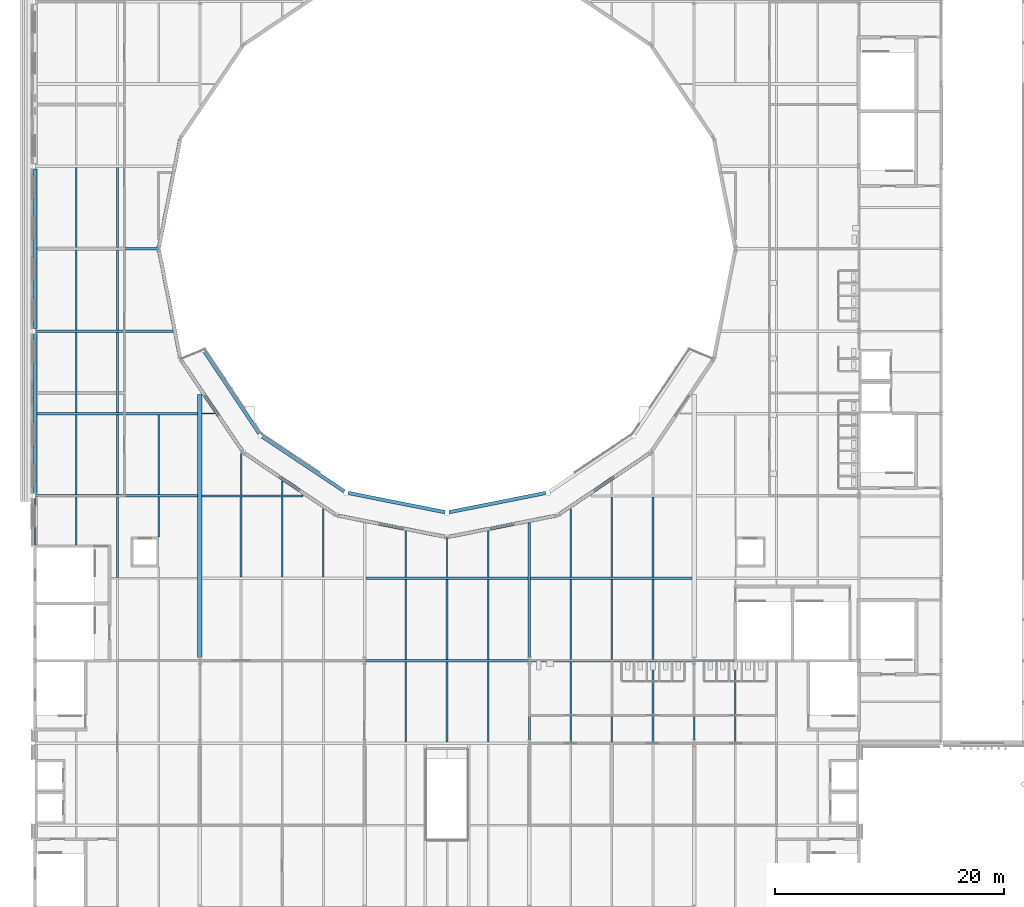
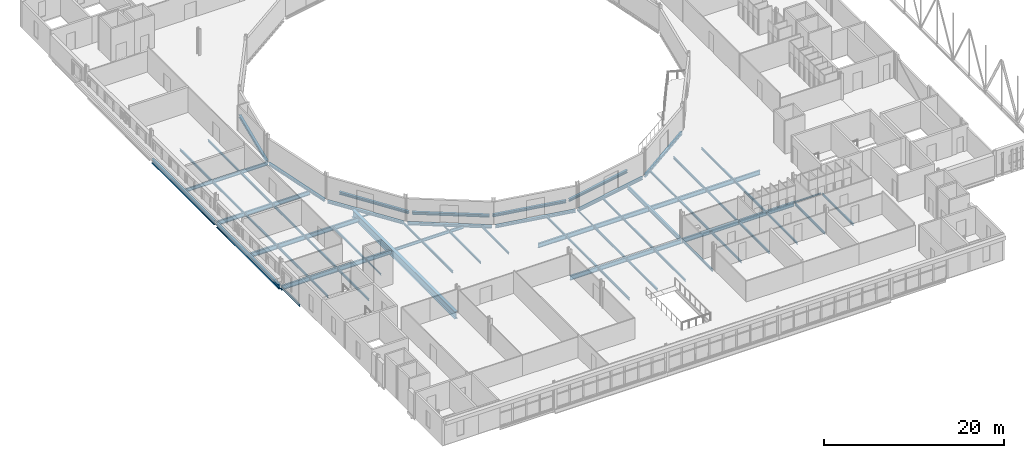
# One storey, part 27 of 142: 65 beams.
"""IFC4 building model written with IfcOpenShell, lengths in metres."""

from ifc_helpers import new_model, si_unit, direction, frame, origin, origin_2d, place, context, subcontext, project, spatial, i_section, extrude, material, material_profile, profile_set, type_object, element, save


model = new_model("IFC4")

# Units and contexts
model_context = context("Model", 3, precision=1e-05, world=origin(), true_north=direction((0.0, 1.0)))
body_context = subcontext(model_context, "Body", "Model", "MODEL_VIEW")
ifc_project = project(units=[si_unit("LENGTHUNIT", "METRE"), si_unit("AREAUNIT", "SQUARE_METRE"), si_unit("VOLUMEUNIT", "CUBIC_METRE"), si_unit("PLANEANGLEUNIT", "RADIAN"), si_unit("MASSUNIT", "GRAM", prefix="KILO")], contexts=[model_context])

# Site, building, storey
site_placement = place(None, origin())
site = spatial("IfcSite", under=ifc_project, at=site_placement, CompositionType="ELEMENT")
building_placement = place(site_placement, origin())
building = spatial("IfcBuilding", under=site, at=building_placement, Name="Kupolbacken Congress Centre", CompositionType="ELEMENT")
storey_placement = place(building_placement, frame((0.0, 0.0, 14.39990234375)))
storey = spatial("IfcBuildingStorey", under=building, at=storey_placement, Name="L04", CompositionType="ELEMENT", Elevation=14.39990234375)

# Beams
ifc_material_1 = material(Name="Steel S355", Category="steel")
ifc_material_profile_1 = material_profile(ifc_material_1, i_section(OverallWidth=0.10009765625, OverallDepth=0.199951171875, WebThickness=0.005615234375, FlangeThickness=0.008544921875, FilletRadius=0.011962890625, at=origin_2d()), Name="IPE 200")
ifc_profile_set_1 = profile_set([ifc_material_profile_1], Name="Steel S355")
beam_type_1 = type_object("IfcBeamType", Name="B01 beam IPE 200", PredefinedType="BEAM", material=ifc_profile_set_1)
beam_1_placement = place(storey_placement, frame((64.807861328125, 50.39990234375, -0.27978515625), z_axis=(1.0, 0.0, 0.0), x_axis=(0.0, 1.0, 0.0)))
element("IfcBeam", 1, at=beam_1_placement, inside=storey, type_object=beam_type_1, Name="S/floor/F/L04/R029", PredefinedType="BEAM", context=body_context, shape_type="SweptSolid", body=[
    extrude(i_section(OverallWidth=0.10009765625, OverallDepth=0.199951171875, WebThickness=0.005615234375, FlangeThickness=0.008544921875, FilletRadius=0.011962890625, at=origin_2d()), origin(), (0.0, 0.0, 1.0), 3.467041015625),
])
beam_2_placement = place(storey_placement, frame((21.800048828125, 72.0, -0.27978515625), z_axis=(1.0, 0.0, 0.0), x_axis=(0.0, 1.0, 0.0)))
element("IfcBeam", 2, at=beam_2_placement, inside=storey, type_object=beam_type_1, Name="S/floor/P/L04/R048", PredefinedType="BEAM", context=body_context, shape_type="SweptSolid", body=[
    extrude(i_section(OverallWidth=0.10009765625, OverallDepth=0.199951171875, WebThickness=0.005615234375, FlangeThickness=0.008544921875, FilletRadius=0.011962890625, at=origin_2d()), origin(), (0.0, 0.0, 1.0), 1.0908203125),
])
beam_3_placement = place(storey_placement, frame((28.800048828125, 64.889892578125, -0.27978515625), z_axis=(0.0, 1.0, 0.0), x_axis=(-1.0, 0.0, 0.0)))
element("IfcBeam", 3, at=beam_3_placement, inside=storey, type_object=beam_type_1, Name="S/floor/P/L04/S104", PredefinedType="BEAM", context=body_context, shape_type="SweptSolid", body=[
    extrude(i_section(OverallWidth=0.10009765625, OverallDepth=0.199951171875, WebThickness=0.005615234375, FlangeThickness=0.008544921875, FilletRadius=0.011962890625, at=origin_2d()), origin(), (0.0, 0.0, 1.0), 1.200927734375),
])
beam_4_placement = place(storey_placement, frame((43.199951171875, 57.7099609375, -0.27978515625), z_axis=(0.0, 1.0, 0.0), x_axis=(-1.0, 0.0, 0.0)))
element("IfcBeam", 4, at=beam_4_placement, inside=storey, type_object=beam_type_1, Name="S/floor/P/L04/S117", PredefinedType="BEAM", context=body_context, shape_type="SweptSolid", body=[
    extrude(i_section(OverallWidth=0.10009765625, OverallDepth=0.199951171875, WebThickness=0.005615234375, FlangeThickness=0.008544921875, FilletRadius=0.011962890625, at=origin_2d()), origin(), (0.0, 0.0, 1.0), 3.4833984375),
])
beam_5_placement = place(storey_placement, frame((18.0, 61.199951171875, -0.27978515625), z_axis=(0.0, 1.0, 0.0), x_axis=(-1.0, 0.0, 0.0)))
element("IfcBeam", 5, at=beam_5_placement, inside=storey, type_object=beam_type_1, Name="S/floor/P/L04/S163", PredefinedType="BEAM", context=body_context, shape_type="SweptSolid", body=[
    extrude(i_section(OverallWidth=0.10009765625, OverallDepth=0.199951171875, WebThickness=0.005615234375, FlangeThickness=0.008544921875, FilletRadius=0.011962890625, at=origin_2d()), origin(), (0.0, 0.0, 1.0), 3.489990234375),
])
ifc_material_2 = material(Name="Steel S355", Category="steel")
ifc_material_profile_2 = material_profile(ifc_material_2, i_section(OverallWidth=0.135009765625, OverallDepth=0.27001953125, WebThickness=0.006591796875, FlangeThickness=0.01025390625, FilletRadius=0.014892578125, at=origin_2d()), Name="IPE 270")
ifc_profile_set_2 = profile_set([ifc_material_profile_2], Name="Steel S355")
beam_type_2 = type_object("IfcBeamType", Name="B03 beam IPE 270", PredefinedType="BEAM", material=ifc_profile_set_2)
beam_6_placement = place(storey_placement, frame((7.199951171875, 60.52490234375, -0.31494140625), z_axis=(0.0, 1.0, 0.0), x_axis=(-1.0, 0.0, 0.0)))
element("IfcBeam", 6, at=beam_6_placement, inside=storey, type_object=beam_type_2, Name="S/floor/P/L04/G017", PredefinedType="BEAM", context=body_context, shape_type="SweptSolid", body=[
    extrude(i_section(OverallWidth=0.135009765625, OverallDepth=0.27001953125, WebThickness=0.006591796875, FlangeThickness=0.01025390625, FilletRadius=0.014892578125, at=origin_2d()), origin(), (0.0, 0.0, 1.0), 4.050048828125),
])
beam_7_placement = place(storey_placement, frame((10.800048828125, 60.52490234375, -0.31494140625), z_axis=(0.0, 1.0, 0.0), x_axis=(-1.0, 0.0, 0.0)))
element("IfcBeam", 7, at=beam_7_placement, inside=storey, type_object=beam_type_2, Name="S/floor/P/L04/S076", PredefinedType="BEAM", context=body_context, shape_type="SweptSolid", body=[
    extrude(i_section(OverallWidth=0.135009765625, OverallDepth=0.27001953125, WebThickness=0.006591796875, FlangeThickness=0.01025390625, FilletRadius=0.014892578125, at=origin_2d()), origin(), (0.0, 0.0, 1.0), 4.1650390625),
])
beam_8_placement = place(storey_placement, frame((25.199951171875, 64.889892578125, -0.31494140625), z_axis=(0.0, 1.0, 0.0), x_axis=(-1.0, 0.0, 0.0)))
element("IfcBeam", 8, at=beam_8_placement, inside=storey, type_object=beam_type_2, Name="S/floor/P/L04/S098", PredefinedType="BEAM", context=body_context, shape_type="SweptSolid", body=[
    extrude(i_section(OverallWidth=0.135009765625, OverallDepth=0.27001953125, WebThickness=0.006591796875, FlangeThickness=0.01025390625, FilletRadius=0.014892578125, at=origin_2d()), origin(), (0.0, 0.0, 1.0), 3.63818359375),
])
beam_9_placement = place(storey_placement, frame((32.39990234375, 57.7099609375, -0.31494140625), z_axis=(0.0, 1.0, 0.0), x_axis=(-1.0, 0.0, 0.0)))
element("IfcBeam", 9, at=beam_9_placement, inside=storey, type_object=beam_type_2, Name="S/floor/P/L04/S109", PredefinedType="BEAM", context=body_context, shape_type="SweptSolid", body=[
    extrude(i_section(OverallWidth=0.135009765625, OverallDepth=0.27001953125, WebThickness=0.006591796875, FlangeThickness=0.01025390625, FilletRadius=0.014892578125, at=origin_2d()), origin(), (0.0, 0.0, 1.0), 5.939697265625),
])
for number, where, z_axis, x_axis, name in (
    (10, (39.60009765625, 57.7099609375, -0.31494140625), (0.0, 1.0, 0.0), (-1.0, 0.0, 0.0), "S/floor/P/L04/S113"),
    (11, (46.800048828125, 57.7099609375, -0.31494140625), (0.0, 1.0, 0.0), (-1.0, 0.0, 0.0), "S/floor/P/L04/S121"),
):
    element("IfcBeam", number, at=place(storey_placement, frame(where, z_axis=z_axis, x_axis=x_axis)), inside=storey, type_object=beam_type_2, Name=name, PredefinedType="BEAM", context=body_context, shape_type="SweptSolid", body=[
        extrude(i_section(OverallWidth=0.135009765625, OverallDepth=0.27001953125, WebThickness=0.006591796875, FlangeThickness=0.01025390625, FilletRadius=0.014892578125, at=origin_2d()), origin(), (0.0, 0.0, 1.0), 4.03271484375),
    ])
beam_10_placement = place(storey_placement, frame((54.0, 57.7099609375, -0.31494140625), z_axis=(0.0, 1.0, 0.0), x_axis=(-1.0, 0.0, 0.0)))
element("IfcBeam", 12, at=beam_10_placement, inside=storey, type_object=beam_type_2, Name="S/floor/P/L04/S125", PredefinedType="BEAM", context=body_context, shape_type="SweptSolid", body=[
    extrude(i_section(OverallWidth=0.135009765625, OverallDepth=0.27001953125, WebThickness=0.006591796875, FlangeThickness=0.01025390625, FilletRadius=0.014892578125, at=origin_2d()), origin(), (0.0, 0.0, 1.0), 5.939697265625),
])
ifc_material_3 = material(Name="Steel S355", Category="steel")
ifc_material_profile_3 = material_profile(ifc_material_3, i_section(OverallWidth=0.14990234375, OverallDepth=0.300048828125, WebThickness=0.007080078125, FlangeThickness=0.0107421875, FilletRadius=0.014892578125, at=origin_2d()), Name="IPE 300")
ifc_profile_set_3 = profile_set([ifc_material_profile_3], Name="Steel S355")
beam_type_3 = type_object("IfcBeamType", Name="B04 beam IPE 300", PredefinedType="BEAM", material=ifc_profile_set_3)
for number, where, z_axis, x_axis, name in (
    (13, (50.39990234375, 43.5, -0.329833984375), (0.0, 1.0, 0.0), (-1.0, 0.0, 0.0), "S/floor/F/L04/G009"),
    (14, (64.800048828125, 43.5, -0.329833984375), (0.0, 1.0, 0.0), (-1.0, 0.0, 0.0), "S/floor/F/L04/G011"),
):
    element("IfcBeam", number, at=place(storey_placement, frame(where, z_axis=z_axis, x_axis=x_axis)), inside=storey, type_object=beam_type_3, Name=name, PredefinedType="BEAM", context=body_context, shape_type="SweptSolid", body=[
        extrude(i_section(OverallWidth=0.14990234375, OverallDepth=0.300048828125, WebThickness=0.007080078125, FlangeThickness=0.0107421875, FilletRadius=0.014892578125, at=origin_2d()), origin(), (0.0, 0.0, 1.0), 6.60009765625),
    ])
for number, where, z_axis, x_axis, name in (
    (15, (39.60009765625, 43.31005859375, -0.329833984375), (0.0, 1.0, 0.0), (-1.0, 0.0, 0.0), "S/floor/F/L04/S060"),
    (16, (43.199951171875, 43.31005859375, -0.329833984375), (0.0, 1.0, 0.0), (-1.0, 0.0, 0.0), "S/floor/F/L04/S062"),
    (17, (46.800048828125, 43.31005859375, -0.329833984375), (0.0, 1.0, 0.0), (-1.0, 0.0, 0.0), "S/floor/F/L04/S065"),
    (18, (54.0, 43.31005859375, -0.329833984375), (0.0, 1.0, 0.0), (-1.0, 0.0, 0.0), "S/floor/F/L04/S068"),
    (19, (57.60009765625, 43.31005859375, -0.329833984375), (0.0, 1.0, 0.0), (-1.0, 0.0, 0.0), "S/floor/F/L04/S071"),
    (20, (61.199951171875, 43.31005859375, -0.329833984375), (0.0, 1.0, 0.0), (-1.0, 0.0, 0.0), "S/floor/F/L04/S074"),
):
    element("IfcBeam", number, at=place(storey_placement, frame(where, z_axis=z_axis, x_axis=x_axis)), inside=storey, type_object=beam_type_3, Name=name, PredefinedType="BEAM", context=body_context, shape_type="SweptSolid", body=[
        extrude(i_section(OverallWidth=0.14990234375, OverallDepth=0.300048828125, WebThickness=0.007080078125, FlangeThickness=0.0107421875, FilletRadius=0.014892578125, at=origin_2d()), origin(), (0.0, 0.0, 1.0), 6.97998046875),
    ])
beam_11_placement = place(storey_placement, frame((68.39990234375, 43.31005859375, -0.329833984375), z_axis=(0.0, 1.0, 0.0), x_axis=(-1.0, 0.0, 0.0)))
element("IfcBeam", 21, at=beam_11_placement, inside=storey, type_object=beam_type_3, Name="S/floor/F/L04/S077", PredefinedType="BEAM", context=body_context, shape_type="SweptSolid", body=[
    extrude(i_section(OverallWidth=0.14990234375, OverallDepth=0.300048828125, WebThickness=0.007080078125, FlangeThickness=0.0107421875, FilletRadius=0.014892578125, at=origin_2d()), origin(), (0.0, 0.0, 1.0), 6.96484375),
])
beam_12_placement = place(storey_placement, frame((10.800048828125, 64.909912109375, -0.329833984375), z_axis=(0.0, 1.0, 0.0), x_axis=(-1.0, 0.0, 0.0)))
element("IfcBeam", 22, at=beam_12_placement, inside=storey, type_object=beam_type_3, Name="S/floor/P/L04/S077", PredefinedType="BEAM", context=body_context, shape_type="SweptSolid", body=[
    extrude(i_section(OverallWidth=0.14990234375, OverallDepth=0.300048828125, WebThickness=0.007080078125, FlangeThickness=0.0107421875, FilletRadius=0.014892578125, at=origin_2d()), origin(), (0.0, 0.0, 1.0), 6.97998046875),
])
beam_13_placement = place(storey_placement, frame((10.800048828125, 72.110107421875, -0.329833984375), z_axis=(0.0, 1.0, 0.0), x_axis=(-1.0, 0.0, 0.0)))
element("IfcBeam", 23, at=beam_13_placement, inside=storey, type_object=beam_type_3, Name="S/floor/P/L04/S078", PredefinedType="BEAM", context=body_context, shape_type="SweptSolid", body=[
    extrude(i_section(OverallWidth=0.14990234375, OverallDepth=0.300048828125, WebThickness=0.007080078125, FlangeThickness=0.0107421875, FilletRadius=0.014892578125, at=origin_2d()), origin(), (0.0, 0.0, 1.0), 6.98486328125),
])
for number, where, z_axis, x_axis, name in (
    (24, (10.800048828125, 79.304931640625, -0.329833984375), (0.0, 1.0, 0.0), (-1.0, 0.0, 0.0), "S/floor/P/L04/S079"),
    (25, (10.800048828125, 86.4951171875, -0.329833984375), (0.0, 1.0, 0.0), (-1.0, 0.0, 0.0), "S/floor/P/L04/S080"),
):
    element("IfcBeam", number, at=place(storey_placement, frame(where, z_axis=z_axis, x_axis=x_axis)), inside=storey, type_object=beam_type_3, Name=name, PredefinedType="BEAM", context=body_context, shape_type="SweptSolid", body=[
        extrude(i_section(OverallWidth=0.14990234375, OverallDepth=0.300048828125, WebThickness=0.007080078125, FlangeThickness=0.0107421875, FilletRadius=0.014892578125, at=origin_2d()), origin(), (0.0, 0.0, 1.0), 7.0),
    ])
beam_14_placement = place(storey_placement, frame((14.39990234375, 57.679931640625, -0.329833984375), z_axis=(0.0, 1.0, 0.0), x_axis=(-1.0, 0.0, 0.0)))
element("IfcBeam", 26, at=beam_14_placement, inside=storey, type_object=beam_type_3, Name="S/floor/P/L04/S086", PredefinedType="BEAM", context=body_context, shape_type="SweptSolid", body=[
    extrude(i_section(OverallWidth=0.14990234375, OverallDepth=0.300048828125, WebThickness=0.007080078125, FlangeThickness=0.0107421875, FilletRadius=0.014892578125, at=origin_2d()), origin(), (0.0, 0.0, 1.0), 7.010009765625),
])
beam_15_placement = place(storey_placement, frame((14.39990234375, 64.909912109375, -0.329833984375), z_axis=(0.0, 1.0, 0.0), x_axis=(-1.0, 0.0, 0.0)))
element("IfcBeam", 27, at=beam_15_placement, inside=storey, type_object=beam_type_3, Name="S/floor/P/L04/S087", PredefinedType="BEAM", context=body_context, shape_type="SweptSolid", body=[
    extrude(i_section(OverallWidth=0.14990234375, OverallDepth=0.300048828125, WebThickness=0.007080078125, FlangeThickness=0.0107421875, FilletRadius=0.014892578125, at=origin_2d()), origin(), (0.0, 0.0, 1.0), 6.97998046875),
])
beam_16_placement = place(storey_placement, frame((14.39990234375, 72.110107421875, -0.329833984375), z_axis=(0.0, 1.0, 0.0), x_axis=(-1.0, 0.0, 0.0)))
element("IfcBeam", 28, at=beam_16_placement, inside=storey, type_object=beam_type_3, Name="S/floor/P/L04/S088", PredefinedType="BEAM", context=body_context, shape_type="SweptSolid", body=[
    extrude(i_section(OverallWidth=0.14990234375, OverallDepth=0.300048828125, WebThickness=0.007080078125, FlangeThickness=0.0107421875, FilletRadius=0.014892578125, at=origin_2d()), origin(), (0.0, 0.0, 1.0), 6.98486328125),
])
for number, where, z_axis, x_axis, name in (
    (29, (14.39990234375, 79.304931640625, -0.329833984375), (0.0, 1.0, 0.0), (-1.0, 0.0, 0.0), "S/floor/P/L04/S089"),
    (30, (14.39990234375, 86.4951171875, -0.329833984375), (0.0, 1.0, 0.0), (-1.0, 0.0, 0.0), "S/floor/P/L04/S090"),
    (31, (25.199951171875, 57.7099609375, -0.329833984375), (0.0, 1.0, 0.0), (-1.0, 0.0, 0.0), "S/floor/P/L04/S097"),
    (32, (28.800048828125, 57.7099609375, -0.329833984375), (0.0, 1.0, 0.0), (-1.0, 0.0, 0.0), "S/floor/P/L04/S103"),
):
    element("IfcBeam", number, at=place(storey_placement, frame(where, z_axis=z_axis, x_axis=x_axis)), inside=storey, type_object=beam_type_3, Name=name, PredefinedType="BEAM", context=body_context, shape_type="SweptSolid", body=[
        extrude(i_section(OverallWidth=0.14990234375, OverallDepth=0.300048828125, WebThickness=0.007080078125, FlangeThickness=0.0107421875, FilletRadius=0.014892578125, at=origin_2d()), origin(), (0.0, 0.0, 1.0), 7.0),
    ])
for number, where, z_axis, x_axis, name in (
    (33, (39.60009765625, 50.510009765625, -0.329833984375), (0.0, 1.0, 0.0), (-1.0, 0.0, 0.0), "S/floor/P/L04/S112"),
    (34, (43.199951171875, 50.510009765625, -0.329833984375), (0.0, 1.0, 0.0), (-1.0, 0.0, 0.0), "S/floor/P/L04/S116"),
    (35, (46.800048828125, 50.510009765625, -0.329833984375), (0.0, 1.0, 0.0), (-1.0, 0.0, 0.0), "S/floor/P/L04/S120"),
    (36, (54.0, 50.510009765625, -0.329833984375), (0.0, 1.0, 0.0), (-1.0, 0.0, 0.0), "S/floor/P/L04/S124"),
    (37, (57.60009765625, 50.510009765625, -0.329833984375), (0.0, 1.0, 0.0), (-1.0, 0.0, 0.0), "S/floor/P/L04/S128"),
):
    element("IfcBeam", number, at=place(storey_placement, frame(where, z_axis=z_axis, x_axis=x_axis)), inside=storey, type_object=beam_type_3, Name=name, PredefinedType="BEAM", context=body_context, shape_type="SweptSolid", body=[
        extrude(i_section(OverallWidth=0.14990234375, OverallDepth=0.300048828125, WebThickness=0.007080078125, FlangeThickness=0.0107421875, FilletRadius=0.014892578125, at=origin_2d()), origin(), (0.0, 0.0, 1.0), 6.97998046875),
    ])
beam_17_placement = place(storey_placement, frame((57.60009765625, 57.7099609375, -0.329833984375), z_axis=(0.0, 1.0, 0.0), x_axis=(-1.0, 0.0, 0.0)))
element("IfcBeam", 38, at=beam_17_placement, inside=storey, type_object=beam_type_3, Name="S/floor/P/L04/S129", PredefinedType="BEAM", context=body_context, shape_type="SweptSolid", body=[
    extrude(i_section(OverallWidth=0.14990234375, OverallDepth=0.300048828125, WebThickness=0.007080078125, FlangeThickness=0.0107421875, FilletRadius=0.014892578125, at=origin_2d()), origin(), (0.0, 0.0, 1.0), 7.0),
])
beam_18_placement = place(storey_placement, frame((61.199951171875, 50.510009765625, -0.329833984375), z_axis=(0.0, 1.0, 0.0), x_axis=(-1.0, 0.0, 0.0)))
element("IfcBeam", 39, at=beam_18_placement, inside=storey, type_object=beam_type_3, Name="S/floor/P/L04/S134", PredefinedType="BEAM", context=body_context, shape_type="SweptSolid", body=[
    extrude(i_section(OverallWidth=0.14990234375, OverallDepth=0.300048828125, WebThickness=0.007080078125, FlangeThickness=0.0107421875, FilletRadius=0.014892578125, at=origin_2d()), origin(), (0.0, 0.0, 1.0), 6.97998046875),
])
beam_19_placement = place(storey_placement, frame((61.199951171875, 57.7099609375, -0.329833984375), z_axis=(0.0, 1.0, 0.0), x_axis=(-1.0, 0.0, 0.0)))
element("IfcBeam", 40, at=beam_19_placement, inside=storey, type_object=beam_type_3, Name="S/floor/P/L04/S135", PredefinedType="BEAM", context=body_context, shape_type="SweptSolid", body=[
    extrude(i_section(OverallWidth=0.14990234375, OverallDepth=0.300048828125, WebThickness=0.007080078125, FlangeThickness=0.0107421875, FilletRadius=0.014892578125, at=origin_2d()), origin(), (0.0, 0.0, 1.0), 7.0),
])
beam_20_placement = place(storey_placement, frame((18.0, 64.909912109375, -0.329833984375), z_axis=(0.0, 1.0, 0.0), x_axis=(-1.0, 0.0, 0.0)))
element("IfcBeam", 41, at=beam_20_placement, inside=storey, type_object=beam_type_3, Name="S/floor/P/L04/S164", PredefinedType="BEAM", context=body_context, shape_type="SweptSolid", body=[
    extrude(i_section(OverallWidth=0.14990234375, OverallDepth=0.300048828125, WebThickness=0.007080078125, FlangeThickness=0.0107421875, FilletRadius=0.014892578125, at=origin_2d()), origin(), (0.0, 0.0, 1.0), 6.97998046875),
])
ifc_material_4 = material(Name="Steel S355", Category="steel")
ifc_material_profile_4 = material_profile(ifc_material_4, i_section(OverallWidth=0.179931640625, OverallDepth=0.39990234375, WebThickness=0.008544921875, FlangeThickness=0.013427734375, FilletRadius=0.02099609375, at=origin_2d()), Name="IPE 400")
ifc_profile_set_4 = profile_set([ifc_material_profile_4], Name="Steel S355")
beam_type_4 = type_object("IfcBeamType", Name="B07 beam IPE 400", PredefinedType="BEAM", material=ifc_profile_set_4)
beam_21_placement = place(storey_placement, frame((21.800048828125, 64.800048828125, -0.3798828125), z_axis=(1.0, 0.0, 0.0), x_axis=(0.0, 1.0, 0.0)))
element("IfcBeam", 42, at=beam_21_placement, inside=storey, type_object=beam_type_4, Name="S/floor/P/L04/R044", PredefinedType="BEAM", context=body_context, shape_type="SweptSolid", body=[
    extrude(i_section(OverallWidth=0.179931640625, OverallDepth=0.39990234375, WebThickness=0.008544921875, FlangeThickness=0.013427734375, FilletRadius=0.02099609375, at=origin_2d()), origin(), (0.0, 0.0, 1.0), 8.829345703125),
])
ifc_material_5 = material(Name="Steel S355", Category="steel")
ifc_material_profile_5 = material_profile(ifc_material_5, i_section(OverallWidth=0.18994140625, OverallDepth=0.449951171875, WebThickness=0.009521484375, FlangeThickness=0.0146484375, FilletRadius=0.02099609375, at=origin_2d()), Name="IPE 450")
ifc_profile_set_5 = profile_set([ifc_material_profile_5], Name="Steel S355")
beam_type_5 = type_object("IfcBeamType", Name="B08 beam IPE 450", PredefinedType="BEAM", material=ifc_profile_set_5)
beam_22_placement = place(storey_placement, frame((7.35009765625, 86.39990234375, -0.40478515625), z_axis=(1.0, 0.0, 0.0), x_axis=(0.0, 1.0, 0.0)))
element("IfcBeam", 43, at=beam_22_placement, inside=storey, type_object=beam_type_5, Name="S/floor/P/L04/R053", PredefinedType="BEAM", context=body_context, shape_type="SweptSolid", body=[
    extrude(i_section(OverallWidth=0.18994140625, OverallDepth=0.449951171875, WebThickness=0.009521484375, FlangeThickness=0.0146484375, FilletRadius=0.02099609375, at=origin_2d()), origin(), (0.0, 0.0, 1.0), 10.64306640625),
])
ifc_material_6 = material(Name="Steel S355", Category="steel")
ifc_material_profile_6 = material_profile(ifc_material_6, i_section(OverallWidth=0.2099609375, OverallDepth=0.550048828125, WebThickness=0.010986328125, FlangeThickness=0.01708984375, FilletRadius=0.02392578125, at=origin_2d()), Name="IPE 550")
ifc_profile_set_6 = profile_set([ifc_material_profile_6], Name="Steel S355")
beam_type_6 = type_object("IfcBeamType", Name="B10 beam IPE 550", PredefinedType="BEAM", material=ifc_profile_set_6)
beam_23_placement = place(storey_placement, frame((50.39990234375, 50.699951171875, -0.454833984375), z_axis=(0.0, 1.0, 0.0), x_axis=(-1.0, 0.0, 0.0)))
element("IfcBeam", 44, at=beam_23_placement, inside=storey, type_object=beam_type_6, Name="S/floor/P/L04/G027", PredefinedType="BEAM", context=body_context, shape_type="SweptSolid", body=[
    extrude(i_section(OverallWidth=0.2099609375, OverallDepth=0.550048828125, WebThickness=0.010986328125, FlangeThickness=0.01708984375, FilletRadius=0.02392578125, at=origin_2d()), origin(), (0.0, 0.0, 1.0), 11.744140625),
])
beam_24_placement = place(storey_placement, frame((7.20703125, 79.199951171875, -0.454833984375), z_axis=(1.0, 0.0, 0.0), x_axis=(0.0, 1.0, 0.0)))
element("IfcBeam", 45, at=beam_24_placement, inside=storey, type_object=beam_type_6, Name="S/floor/P/L04/R051", PredefinedType="BEAM", context=body_context, shape_type="SweptSolid", body=[
    extrude(i_section(OverallWidth=0.2099609375, OverallDepth=0.550048828125, WebThickness=0.010986328125, FlangeThickness=0.01708984375, FilletRadius=0.02392578125, at=origin_2d()), origin(), (0.0, 0.0, 1.0), 12.037109375),
])
ifc_material_7 = material(Name="Steel S355", Category="steel")
ifc_material_profile_7 = material_profile(ifc_material_7, i_section(OverallWidth=0.219970703125, OverallDepth=0.60009765625, WebThickness=0.011962890625, FlangeThickness=0.01904296875, FilletRadius=0.02392578125, at=origin_2d()), Name="IPE 600")
ifc_profile_set_7 = profile_set([ifc_material_profile_7], Name="Steel S355")
beam_type_7 = type_object("IfcBeamType", Name="B11 beam IPE 600", PredefinedType="BEAM", material=ifc_profile_set_7)
for number, where, z_axis, x_axis, name in (
    (46, (36.0078125, 50.39990234375, -0.47998046875), (1.0, 0.0, 0.0), (0.0, 1.0, 0.0), "S/floor/F/L04/R027"),
    (47, (50.40771484375, 50.39990234375, -0.47998046875), (1.0, 0.0, 0.0), (0.0, 1.0, 0.0), "S/floor/F/L04/R028"),
):
    element("IfcBeam", number, at=place(storey_placement, frame(where, z_axis=z_axis, x_axis=x_axis)), inside=storey, type_object=beam_type_7, Name=name, PredefinedType="BEAM", context=body_context, shape_type="SweptSolid", body=[
        extrude(i_section(OverallWidth=0.219970703125, OverallDepth=0.60009765625, WebThickness=0.011962890625, FlangeThickness=0.01904296875, FilletRadius=0.02392578125, at=origin_2d()), origin(), (0.0, 0.0, 1.0), 14.384521484375),
    ])
beam_25_placement = place(storey_placement, frame((36.10498046875, 57.60009765625, -0.47998046875), z_axis=(1.0, 0.0, 0.0), x_axis=(0.0, 1.0, 0.0)))
element("IfcBeam", 48, at=beam_25_placement, inside=storey, type_object=beam_type_7, Name="S/floor/P/L04/R040", PredefinedType="BEAM", context=body_context, shape_type="SweptSolid", body=[
    extrude(i_section(OverallWidth=0.219970703125, OverallDepth=0.60009765625, WebThickness=0.011962890625, FlangeThickness=0.01904296875, FilletRadius=0.02392578125, at=origin_2d()), origin(), (0.0, 0.0, 1.0), 14.18994140625),
])
beam_26_placement = place(storey_placement, frame((50.5048828125, 57.60009765625, -0.47998046875), z_axis=(1.0, 0.0, 0.0), x_axis=(0.0, 1.0, 0.0)))
element("IfcBeam", 49, at=beam_26_placement, inside=storey, type_object=beam_type_7, Name="S/floor/P/L04/R041", PredefinedType="BEAM", context=body_context, shape_type="SweptSolid", body=[
    extrude(i_section(OverallWidth=0.219970703125, OverallDepth=0.60009765625, WebThickness=0.011962890625, FlangeThickness=0.01904296875, FilletRadius=0.02392578125, at=origin_2d()), origin(), (0.0, 0.0, 1.0), 14.09521484375),
])
beam_27_placement = place(storey_placement, frame((7.20703125, 64.800048828125, -0.47998046875), z_axis=(1.0, 0.0, 0.0), x_axis=(0.0, 1.0, 0.0)))
element("IfcBeam", 50, at=beam_27_placement, inside=storey, type_object=beam_type_7, Name="S/floor/P/L04/R043", PredefinedType="BEAM", context=body_context, shape_type="SweptSolid", body=[
    extrude(i_section(OverallWidth=0.219970703125, OverallDepth=0.60009765625, WebThickness=0.011962890625, FlangeThickness=0.01904296875, FilletRadius=0.02392578125, at=origin_2d()), origin(), (0.0, 0.0, 1.0), 14.19287109375),
])
beam_28_placement = place(storey_placement, frame((7.35009765625, 72.0, -0.47998046875), z_axis=(1.0, 0.0, 0.0), x_axis=(0.0, 1.0, 0.0)))
element("IfcBeam", 51, at=beam_28_placement, inside=storey, type_object=beam_type_7, Name="S/floor/P/L04/R047", PredefinedType="BEAM", context=body_context, shape_type="SweptSolid", body=[
    extrude(i_section(OverallWidth=0.219970703125, OverallDepth=0.60009765625, WebThickness=0.011962890625, FlangeThickness=0.01904296875, FilletRadius=0.02392578125, at=origin_2d()), origin(), (0.0, 0.0, 1.0), 14.0498046875),
])
ifc_material_8 = material(Name="Steel S355", Category="steel")
ifc_material_profile_8 = material_profile(ifc_material_8, i_section(OverallWidth=0.300048828125, OverallDepth=0.35009765625, WebThickness=0.010009765625, FlangeThickness=0.017578125, FilletRadius=0.027099609375, at=origin_2d()), Name="HEA 360")
ifc_profile_set_8 = profile_set([ifc_material_profile_8], Name="Steel S355")
beam_type_8 = type_object("IfcBeamType", Name="B13 beam HEA 360", PredefinedType="BEAM", material=ifc_profile_set_8)
for number, where, z_axis, x_axis, name in (
    (52, (19.860595703125, 95.849853515625, -0.35498046875), (-0.193191886678, -0.981160993376, 0.0), (0.981160993376, -0.193191886678, 0.0), "S/floor/P/L04/C008"),
    (53, (18.039306640625, 86.199951171875, -0.35498046875), (0.193191886678, -0.981160993376, 0.0), (0.981160993376, 0.193191886678, 0.0), "S/floor/P/L04/C009"),
):
    element("IfcBeam", number, at=place(storey_placement, frame(where, z_axis=z_axis, x_axis=x_axis)), inside=storey, type_object=beam_type_8, Name=name, PredefinedType="BEAM", context=body_context, shape_type="SweptSolid", body=[
        extrude(i_section(OverallWidth=0.300048828125, OverallDepth=0.35009765625, WebThickness=0.010009765625, FlangeThickness=0.017578125, FilletRadius=0.027099609375, at=origin_2d()), origin(), (0.0, 0.0, 1.0), 9.42724609375),
    ])
for number, where, z_axis, x_axis, name in (
    (54, (20.01416015625, 76.580810546875, -0.35498046875), (0.55939009895, -0.828904528397, 0.0), (0.828904528397, 0.55939009895, 0.0), "S/floor/P/L04/C010"),
    (55, (25.56884765625, 68.486083984375, -0.35498046875), (0.828904528397, -0.55939009895, 0.0), (0.55939009895, 0.828904528397, 0.0), "S/floor/P/L04/C011"),
):
    element("IfcBeam", number, at=place(storey_placement, frame(where, z_axis=z_axis, x_axis=x_axis)), inside=storey, type_object=beam_type_8, Name=name, PredefinedType="BEAM", context=body_context, shape_type="SweptSolid", body=[
        extrude(i_section(OverallWidth=0.300048828125, OverallDepth=0.35009765625, WebThickness=0.010009765625, FlangeThickness=0.017578125, FilletRadius=0.027099609375, at=origin_2d()), origin(), (0.0, 0.0, 1.0), 9.424560546875),
    ])
beam_29_placement = place(storey_placement, frame((33.750244140625, 63.060546875, -0.35498046875), z_axis=(0.981160993376, -0.193191886678, 0.0), x_axis=(0.193191886678, 0.981160993376, 0.0)))
element("IfcBeam", 56, at=beam_29_placement, inside=storey, type_object=beam_type_8, Name="S/floor/P/L04/C012", PredefinedType="BEAM", context=body_context, shape_type="SweptSolid", body=[
    extrude(i_section(OverallWidth=0.300048828125, OverallDepth=0.35009765625, WebThickness=0.010009765625, FlangeThickness=0.017578125, FilletRadius=0.027099609375, at=origin_2d()), origin(), (0.0, 0.0, 1.0), 9.42724609375),
])
beam_30_placement = place(storey_placement, frame((43.39990234375, 61.2392578125, -0.35498046875), z_axis=(0.981161959896, 0.193186977957, 0.0), x_axis=(-0.193186977957, 0.981161959896, 0.0)))
element("IfcBeam", 57, at=beam_30_placement, inside=storey, type_object=beam_type_8, Name="S/floor/P/L04/C013", PredefinedType="BEAM", context=body_context, shape_type="SweptSolid", body=[
    extrude(i_section(OverallWidth=0.300048828125, OverallDepth=0.35009765625, WebThickness=0.010009765625, FlangeThickness=0.017578125, FilletRadius=0.027099609375, at=origin_2d()), origin(), (0.0, 0.0, 1.0), 9.427490234375),
])
beam_31_placement = place(storey_placement, frame((53.019287109375, 63.214111328125, -0.35498046875), z_axis=(0.828896422049, 0.559402110752, 0.0), x_axis=(-0.559402110752, 0.828896422049, 0.0)))
element("IfcBeam", 58, at=beam_31_placement, inside=storey, type_object=beam_type_8, Name="S/floor/P/L04/C014", PredefinedType="BEAM", context=body_context, shape_type="SweptSolid", body=[
    extrude(i_section(OverallWidth=0.300048828125, OverallDepth=0.35009765625, WebThickness=0.010009765625, FlangeThickness=0.017578125, FilletRadius=0.027099609375, at=origin_2d()), origin(), (0.0, 0.0, 1.0), 9.42431640625),
])
beam_32_placement = place(storey_placement, frame((22.001953125, 77.417724609375, -0.35498046875), z_axis=(0.555569479161, -0.831470116014, 0.0), x_axis=(0.831470116014, 0.555569479161, 0.0)))
element("IfcBeam", 59, at=beam_32_placement, inside=storey, type_object=beam_type_8, Name="Plenary ring edge beam", PredefinedType="BEAM", context=body_context, shape_type="SweptSolid", body=[
    extrude(i_section(OverallWidth=0.300048828125, OverallDepth=0.35009765625, WebThickness=0.010009765625, FlangeThickness=0.017578125, FilletRadius=0.027099609375, at=origin_2d()), origin(), (0.0, 0.0, 1.0), 8.616943359375),
])
beam_33_placement = place(storey_placement, frame((27.046142578125, 69.993896484375, -0.35498046875), z_axis=(0.831466846946, -0.555574371645, 0.0), x_axis=(0.555574371645, 0.831466846946, 0.0)))
element("IfcBeam", 60, at=beam_33_placement, inside=storey, type_object=beam_type_8, Name="Plenary ring edge beam", PredefinedType="BEAM", context=body_context, shape_type="SweptSolid", body=[
    extrude(i_section(OverallWidth=0.300048828125, OverallDepth=0.35009765625, WebThickness=0.010009765625, FlangeThickness=0.017578125, FilletRadius=0.027099609375, at=origin_2d()), origin(), (0.0, 0.0, 1.0), 8.63330078125),
])
for number, where, z_axis, x_axis, name in (
    (61, (34.55615234375, 65.060546875, -0.35498046875), (0.980782552591, -0.195104035154, 0.0), (0.195104035154, 0.980782552591, 0.0), "Plenary ring edge beam"),
    (62, (43.38037109375, 63.376953125, -0.35498046875), (0.980782552591, 0.195104035154, 0.0), (-0.195104035154, 0.980782552591, 0.0), "Plenary ring edge beam"),
):
    element("IfcBeam", number, at=place(storey_placement, frame(where, z_axis=z_axis, x_axis=x_axis)), inside=storey, type_object=beam_type_8, Name=name, PredefinedType="BEAM", context=body_context, shape_type="SweptSolid", body=[
        extrude(i_section(OverallWidth=0.300048828125, OverallDepth=0.35009765625, WebThickness=0.010009765625, FlangeThickness=0.017578125, FilletRadius=0.027099609375, at=origin_2d()), origin(), (0.0, 0.0, 1.0), 8.629150390625),
    ])
ifc_material_9 = material(Name="Steel S355", Category="steel")
ifc_material_profile_9 = material_profile(ifc_material_9, i_section(OverallWidth=0.300048828125, OverallDepth=0.60009765625, WebThickness=0.015380859375, FlangeThickness=0.030029296875, FilletRadius=0.027099609375, at=origin_2d()), Name="HEB 600")
ifc_profile_set_9 = profile_set([ifc_material_profile_9], Name="Steel S355")
beam_type_9 = type_object("IfcBeamType", Name="B15 beam HEB 600", PredefinedType="BEAM", material=ifc_profile_set_9)
beam_34_placement = place(storey_placement, frame((7.199951171875, 65.02490234375, -0.47998046875), z_axis=(0.0, 1.0, 0.0), x_axis=(-1.0, 0.0, 0.0)))
element("IfcBeam", 63, at=beam_34_placement, inside=storey, type_object=beam_type_9, Name="S/floor/P/L04/G018", PredefinedType="BEAM", context=body_context, shape_type="SweptSolid", body=[
    extrude(i_section(OverallWidth=0.300048828125, OverallDepth=0.60009765625, WebThickness=0.015380859375, FlangeThickness=0.030029296875, FilletRadius=0.027099609375, at=origin_2d()), origin(), (0.0, 0.0, 1.0), 13.9501953125),
])
beam_35_placement = place(storey_placement, frame((7.199951171875, 79.425048828125, -0.47998046875), z_axis=(0.0, 1.0, 0.0), x_axis=(-1.0, 0.0, 0.0)))
element("IfcBeam", 64, at=beam_35_placement, inside=storey, type_object=beam_type_9, Name="S/floor/P/L04/G019", PredefinedType="BEAM", context=body_context, shape_type="SweptSolid", body=[
    extrude(i_section(OverallWidth=0.300048828125, OverallDepth=0.60009765625, WebThickness=0.015380859375, FlangeThickness=0.030029296875, FilletRadius=0.027099609375, at=origin_2d()), origin(), (0.0, 0.0, 1.0), 13.949951171875),
])
ifc_material_10 = material(Name="Steel S355", Category="steel")
ifc_material_profile_10 = material_profile(ifc_material_10, i_section(OverallWidth=0.39990234375, OverallDepth=1.0, WebThickness=0.02197265625, FlangeThickness=0.044921875, at=origin_2d()), Name="PG 1000 x 400")
ifc_profile_set_10 = profile_set([ifc_material_profile_10], Name="Steel S355")
beam_type_10 = type_object("IfcBeamType", Name="B23 beam PG 1000 x 400", PredefinedType="BEAM", material=ifc_profile_set_10)
beam_36_placement = place(storey_placement, frame((21.60009765625, 50.699951171875, -0.679931640625), z_axis=(0.0, 1.0, 0.0), x_axis=(-1.0, 0.0, 0.0)))
element("IfcBeam", 65, at=beam_36_placement, inside=storey, type_object=beam_type_10, Name="S/floor/P/L04/G022", PredefinedType="BEAM", context=body_context, shape_type="SweptSolid", body=[
    extrude(i_section(OverallWidth=0.39990234375, OverallDepth=1.0, WebThickness=0.02197265625, FlangeThickness=0.044921875, at=origin_2d()), origin(), (0.0, 0.0, 1.0), 22.966552734375),
])

save(model, "model.ifc")
